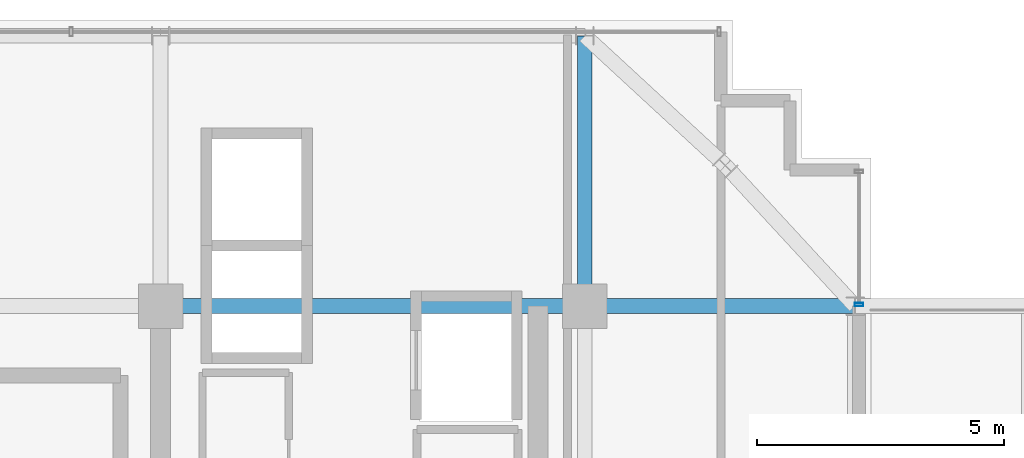
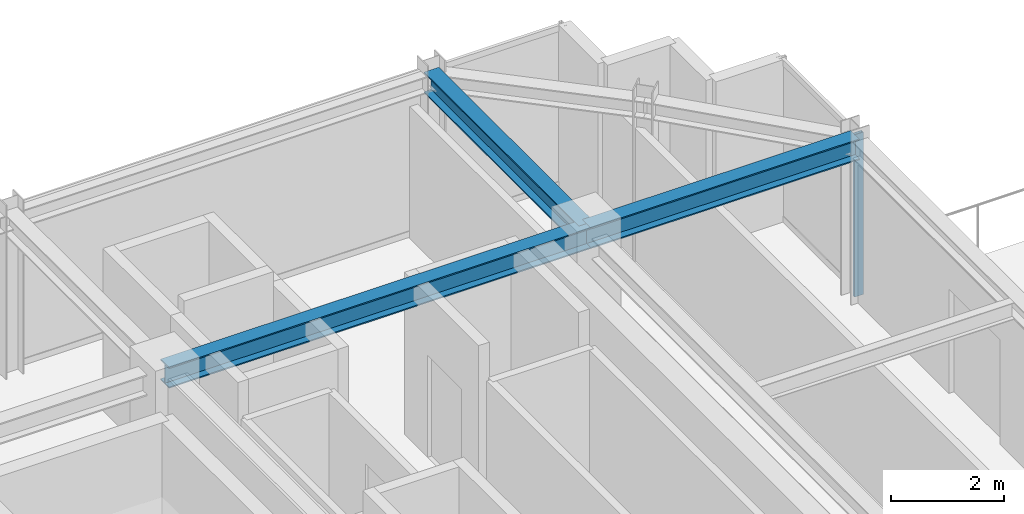
# One storey, part 23 of 32: 3 beams, 1 member, 1 element without a shape of its own.
"""IFC4 building model written with IfcOpenShell, lengths in metres."""

import ifcopenshell
import ifcopenshell.guid

model = None  # the IFC model being written
_history = None  # IfcOwnerHistory: only IFC2X3 demands one
_inside = {}  # id of a spatial element -> (the spatial element, [elements in it])
_under = {}  # id of a project, library or spatial element -> (it, [spatial elements below it])
_declared = {}  # id of a project -> (the project, [libraries it declares])
_typed = {}  # id of a type object -> (the type object, [elements of that type])
_made_of = {}  # id of a material, layer set ... -> (it, [elements and type objects made of it])


def new_model(schema):
    """Start an empty IFC model of exactly this schema.

    Asked for "IFC4X3", IfcOpenShell would pick the latest addendum, in which some entities
    have other attributes; the version numbers below select the first issue.
    IFC2X3 requires an IfcOwnerHistory on every rooted entity: one is made here for all.
    """
    global model, _history
    if schema == "IFC4X3":
        model = ifcopenshell.file(schema_version=(4, 3, 0, 0))
    else:
        model = ifcopenshell.file(schema=schema)
    _inside.clear()
    _under.clear()
    _declared.clear()
    _typed.clear()
    _made_of.clear()
    _history = None
    if model.schema == "IFC2X3":
        org = make("IfcOrganization", Name="unknown")
        user = make(
            "IfcPersonAndOrganization",
            ThePerson=make("IfcPerson", FamilyName="unknown"),
            TheOrganization=org,
        )
        app = make(
            "IfcApplication",
            ApplicationDeveloper=org,
            Version="unknown",
            ApplicationFullName="unknown",
            ApplicationIdentifier="unknown",
        )
        _history = make(
            "IfcOwnerHistory",
            OwningUser=user,
            OwningApplication=app,
            ChangeAction="ADDED",
            CreationDate=0,
        )
    return model


def make(cls, **values):
    """One entity of the class cls with the attributes given. An attribute that is None is left unset."""
    return model.create_entity(
        cls, **{name: value for name, value in values.items() if value is not None}
    )


def rooted(cls, **values):
    """An entity with a GlobalId (a new one), such as an element, a storey or a relation."""
    return make(cls, GlobalId=ifcopenshell.guid.new(), OwnerHistory=_history, **values)


def si_unit(unit_type, name, prefix=None):
    """IfcSIUnit, for example si_unit("LENGTHUNIT", "METRE", prefix="MILLI")."""
    return make("IfcSIUnit", UnitType=unit_type, Prefix=prefix, Name=name)


def assignment(units):
    """IfcUnitAssignment: the units of a project."""
    return None if units is None else make("IfcUnitAssignment", Units=units)


def point(xyz):
    """IfcCartesianPoint."""
    return None if xyz is None else make("IfcCartesianPoint", Coordinates=xyz)


def direction(xyz):
    """IfcDirection."""
    return None if xyz is None else make("IfcDirection", DirectionRatios=xyz)


def frame(location, z_axis=None, x_axis=None):
    """IfcAxis2Placement3D, a coordinate frame: its origin and axes. An axis left out is left unset."""
    return make(
        "IfcAxis2Placement3D",
        Location=point(location),
        Axis=direction(z_axis),
        RefDirection=direction(x_axis),
    )


def frame_2d(location, x_axis=None):
    """IfcAxis2Placement2D, a coordinate frame in the plane: its origin and x axis."""
    return make(
        "IfcAxis2Placement2D", Location=point(location), RefDirection=direction(x_axis)
    )


def origin():
    """The frame at (0, 0, 0) with its axes left unset."""
    return frame((0.0, 0.0, 0.0))


def origin_2d():
    """The frame at (0, 0) in the plane with its x axis left unset."""
    return frame_2d((0.0, 0.0))


def place(relative_to, where):
    """IfcLocalPlacement: puts the frame where relative to a parent placement (None: the world)."""
    return make(
        "IfcLocalPlacement", PlacementRelTo=relative_to, RelativePlacement=where
    )


def context(
    kind, dimensions, precision=None, world=None, true_north=None, identifier=None
):
    """IfcGeometricRepresentationContext, for example the 3D "Model" context."""
    return make(
        "IfcGeometricRepresentationContext",
        ContextIdentifier=identifier,
        ContextType=kind,
        CoordinateSpaceDimension=dimensions,
        Precision=precision,
        WorldCoordinateSystem=world,
        TrueNorth=true_north,
    )


def subcontext(parent, identifier, kind, view, scale=None):
    """IfcGeometricRepresentationSubContext, for example "Body" below "Model"."""
    return make(
        "IfcGeometricRepresentationSubContext",
        ContextIdentifier=identifier,
        ContextType=kind,
        ParentContext=parent,
        TargetScale=scale,
        TargetView=view,
    )


def project(units=None, contexts=None):
    """IfcProject with its units and contexts."""
    return rooted(
        "IfcProject",
        Name="project",
        RepresentationContexts=contexts,
        UnitsInContext=assignment(units),
    )


def spatial(cls, under=None, at=None, **own):
    """A site, building, storey or space (cls), placed at a placement, below another one or the project."""
    s = rooted(cls, ObjectPlacement=at, **own)
    if under is not None:
        _under.setdefault(under.id(), (under, []))[1].append(s)
    return s


def profile(cls, at=None, kind="AREA", **sizes):
    """A parametric profile (cls). Its sizes go by their IFC names, for example OverallWidth=200.0."""
    return make(cls, ProfileType=kind, Position=at, **sizes)


def hollow_rectangle(**sizes):
    """IfcRectangleHollowProfileDef."""
    return profile("IfcRectangleHollowProfileDef", **sizes)


def i_section(**sizes):
    """IfcIShapeProfileDef."""
    return profile("IfcIShapeProfileDef", **sizes)


def extrude(swept, where, along, depth):
    """IfcExtrudedAreaSolid: the profile swept, set in the frame where, extruded along a direction by depth."""
    return make(
        "IfcExtrudedAreaSolid",
        SweptArea=swept,
        Position=where,
        ExtrudedDirection=direction(along),
        Depth=depth,
    )


def shape(context_of_items, identifier, shape_type, items):
    """IfcShapeRepresentation: the items that make up one representation, for example the "Body"."""
    return make(
        "IfcShapeRepresentation",
        ContextOfItems=context_of_items,
        RepresentationIdentifier=identifier,
        RepresentationType=shape_type,
        Items=items,
    )


def source(mapping_origin, context_of_items, identifier, shape_type, items):
    """IfcRepresentationMap: a shape defined once, which mapped items show again and again."""
    return make(
        "IfcRepresentationMap",
        MappingOrigin=mapping_origin,
        MappedRepresentation=shape(context_of_items, identifier, shape_type, items),
    )


def transform(
    local_origin,
    x_axis=None,
    y_axis=None,
    z_axis=None,
    scale=None,
    scale2=None,
    scale3=None,
    uniform=True,
):
    """IfcCartesianTransformationOperator3D, or its non-uniform kind. x_axis, y_axis, z_axis: its Axis1, 2, 3."""
    if uniform:
        return make(
            "IfcCartesianTransformationOperator3D",
            Axis1=direction(x_axis),
            Axis2=direction(y_axis),
            LocalOrigin=point(local_origin),
            Scale=scale,
            Axis3=direction(z_axis),
        )
    return make(
        "IfcCartesianTransformationOperator3DnonUniform",
        Axis1=direction(x_axis),
        Axis2=direction(y_axis),
        LocalOrigin=point(local_origin),
        Scale=scale,
        Axis3=direction(z_axis),
        Scale2=scale2,
        Scale3=scale3,
    )


def mapped(mapping_source, mapping_target):
    """IfcMappedItem: shows the shape of a source again, moved by a transform."""
    return make(
        "IfcMappedItem", MappingSource=mapping_source, MappingTarget=mapping_target
    )


def material(Name=None, Category=None):
    """IfcMaterial."""
    return make("IfcMaterial", Name=Name, Category=Category)


def material_profile(
    of_material, cross_section, Name=None, Category=None, Priority=None
):
    """IfcMaterialProfile: a cross section and its material."""
    return make(
        "IfcMaterialProfile",
        Name=Name,
        Material=of_material,
        Profile=cross_section,
        Priority=Priority,
        Category=Category,
    )


def profile_set(profiles, Name=None, composite=None):
    """IfcMaterialProfileSet."""
    return make(
        "IfcMaterialProfileSet",
        Name=Name,
        MaterialProfiles=profiles,
        CompositeProfile=composite,
    )


def made_of(thing, what):
    """Note that an element or type object is made of a material, layer set ...; save() writes the relation."""
    if what is not None:
        _made_of.setdefault(what.id(), (what, []))[1].append(thing)
    return thing


def type_object(cls, material=None, **own):
    """A type object (cls), such as IfcWallType, which elements share."""
    return made_of(rooted(cls, **own), material)


def element(
    cls,
    number,
    at=None,
    inside=None,
    cuts=None,
    type_object=None,
    material=None,
    context=None,
    identifier="Body",
    shape_type=None,
    held_by="IfcProductDefinitionShape",
    body=None,
    shapes=None,
    **own,
):
    """One element of the class cls, such as IfcWall. Its Tag is "e" and its number.

    at: its placement. inside: the storey or other place that contains it. cuts: it is an
    opening in that element (IfcRelVoidsElement). A single representation is given by context,
    identifier, shape_type and body (its items); several are given by shapes. held_by: the class
    of the entity that holds the representations. save() writes the other relations.
    """
    e = rooted(cls, Tag="e%d" % number, ObjectPlacement=at, **own)
    if body is not None:
        shapes = [shape(context, identifier, shape_type, body)]
    if shapes is not None:
        e.Representation = make(held_by, Representations=shapes)
    if inside is not None:
        _inside.setdefault(inside.id(), (inside, []))[1].append(e)
    if cuts is not None:
        rooted(
            "IfcRelVoidsElement", RelatingBuildingElement=cuts, RelatedOpeningElement=e
        )
    if type_object is not None:
        _typed.setdefault(type_object.id(), (type_object, []))[1].append(e)
    return made_of(e, material)


def aggregate(whole, parts):
    """IfcRelAggregates: a whole, such as a stair, and the parts it consists of."""
    return rooted("IfcRelAggregates", RelatingObject=whole, RelatedObjects=parts)


def save(model, path):
    """Write the relations noted so far, then the file.

    IfcRelAggregates (storeys below a building ...), IfcRelContainedInSpatialStructure (elements
    in a storey), IfcRelDefinesByType, IfcRelAssociatesMaterial and IfcRelDeclares: one each for
    every whole, place, type object, material and project.
    """
    for whole, parts in _under.values():
        aggregate(whole, parts)
    for where, things in _inside.values():
        rooted(
            "IfcRelContainedInSpatialStructure",
            RelatedElements=things,
            RelatingStructure=where,
        )
    for kind, things in _typed.values():
        rooted("IfcRelDefinesByType", RelatedObjects=things, RelatingType=kind)
    for what, things in _made_of.values():
        rooted("IfcRelAssociatesMaterial", RelatedObjects=things, RelatingMaterial=what)
    for by, libraries in _declared.values():
        rooted("IfcRelDeclares", RelatingContext=by, RelatedDefinitions=libraries)
    model.write(path)


model = new_model("IFC4")

# Units and contexts
model_context = context("Model", 3, precision=1e-05, world=origin(), true_north=direction((0.0, 1.0)))
body_context = subcontext(model_context, "Body", "Model", "MODEL_VIEW")
ifc_project = project(units=[si_unit("LENGTHUNIT", "METRE"), si_unit("AREAUNIT", "SQUARE_METRE"), si_unit("VOLUMEUNIT", "CUBIC_METRE"), si_unit("PLANEANGLEUNIT", "RADIAN"), si_unit("MASSUNIT", "GRAM", prefix="KILO")], contexts=[model_context])

# Site, building, storey
site_placement = place(None, origin())
site = spatial("IfcSite", under=ifc_project, at=site_placement, CompositionType="ELEMENT")
building_placement = place(site_placement, origin())
building = spatial("IfcBuilding", under=site, at=building_placement, Name="Nahalor Promenade Grand Hotel", CompositionType="ELEMENT")
storey_placement = place(building_placement, frame((0.0, 0.0, 330.949951171875)))
storey = spatial("IfcBuildingStorey", under=building, at=storey_placement, Name="L85", CompositionType="ELEMENT", Elevation=330.949951171875)

# Beams
ifc_material_1 = material(Name="Steel S355JR", Category="steel")
ifc_material_profile_1 = material_profile(ifc_material_1, i_section(OverallWidth=0.3, OverallDepth=0.45, WebThickness=0.014, FlangeThickness=0.026, at=origin_2d()), Name="HEB 450")
ifc_profile_set_1 = profile_set([ifc_material_profile_1], Name="Steel S355JR")
beam_type = type_object("IfcBeamType", Name="Beam-Girder-HEB450", PredefinedType="BEAM", material=ifc_profile_set_1)
shared_shape_1 = source(origin(), body_context, "Body", "SweptSolid", [
    extrude(i_section(OverallWidth=0.3, OverallDepth=0.45, WebThickness=0.014, FlangeThickness=0.026, at=origin_2d()), origin(), (0.0, 0.0, 1.0), 8.60009765625),
])
beam_placement = place(storey_placement, frame((8.39990234375, 17.0, 3.275146484375), z_axis=(1.0, 0.0, 0.0), x_axis=(0.0, 1.0, 0.0)))
element("IfcBeam", 1, at=beam_placement, inside=storey, type_object=beam_type, Name="BM-L85-GX-3-5", PredefinedType="BEAM", context=body_context, shape_type="MappedRepresentation", body=[
    mapped(shared_shape_1, transform((0.0, 0.0, 0.0), scale=1.0)),
])
shared_shape_2 = source(origin(), body_context, "Body", "SweptSolid", [
    extrude(i_section(OverallWidth=0.3, OverallDepth=0.45, WebThickness=0.014, FlangeThickness=0.026, at=origin_2d()), origin(), (0.0, 0.0, 1.0), 5.47998046875),
])
for number, where, z_axis, x_axis, name in (
    (2, (17.0, 17.0, 3.275146484375), (1.0, 0.0, 0.0), (0.0, 1.0, 0.0), "BM-L85-GX-3-6"),
    (3, (17.0, 17.0, 3.275146484375), (0.0, 1.0, 0.0), (-1.0, 0.0, 0.0), "BM-L85-GY-5-4"),
):
    element("IfcBeam", number, at=place(storey_placement, frame(where, z_axis=z_axis, x_axis=x_axis)), inside=storey, type_object=beam_type, Name=name, PredefinedType="BEAM", context=body_context, shape_type="MappedRepresentation", body=[
        mapped(shared_shape_2, transform((0.0, 0.0, 0.0), scale=1.0)),
    ])

# Curtain wall, member
ifc_material_2 = material(Name="Anodised Bronze Aluminium EN AW-6063 T6", Category="aluminium")
curtain_wall_type = type_object("IfcCurtainWallType", Name="CW2 Typical Hotel Flush Bronze Unitised Curtain Wall", PredefinedType="USERDEFINED", material=ifc_material_2)
curtain_wall_placement = place(storey_placement, origin())
curtain_wall = element("IfcCurtainWall", 4, at=curtain_wall_placement, inside=storey, type_object=curtain_wall_type, Name="L85 Curtain Wall CW-L85-E-3", ObjectType="UNITISED_CURTAIN_WALL", PredefinedType="USERDEFINED")
ifc_material_profile_2 = material_profile(ifc_material_2, hollow_rectangle(XDim=0.065, YDim=0.18, WallThickness=0.004, at=origin_2d()), Name="CWM 65x180x4")
ifc_profile_set_2 = profile_set([ifc_material_profile_2], Name="Anodised Bronze Aluminium EN AW-6063 T6")
member_type = type_object("IfcMemberType", Name="CWM2 Typical Bronze Mullion 65x180", PredefinedType="MULLION", material=ifc_profile_set_2)
shared_shape_3 = source(origin(), body_context, "Body", "SweptSolid", [
    extrude(hollow_rectangle(XDim=0.065, YDim=0.18, WallThickness=0.004, at=origin_2d()), origin(), (0.0, 0.0, 1.0), 3.5),
])
member_placement = place(storey_placement, frame((22.56005859375, 17.032470703125, 0.0), z_axis=(0.0, 0.0, 1.0), x_axis=(0.0, 1.0, 0.0)))
member = element("IfcMember", 5, at=member_placement, type_object=member_type, Name="CW-L85-E-3 Mullion 0", PredefinedType="MULLION", context=body_context, shape_type="MappedRepresentation", body=[
    mapped(shared_shape_3, transform((0.0, 0.0, 0.0), scale=1.0)),
])
aggregate(curtain_wall, [member])

save(model, "model.ifc")
